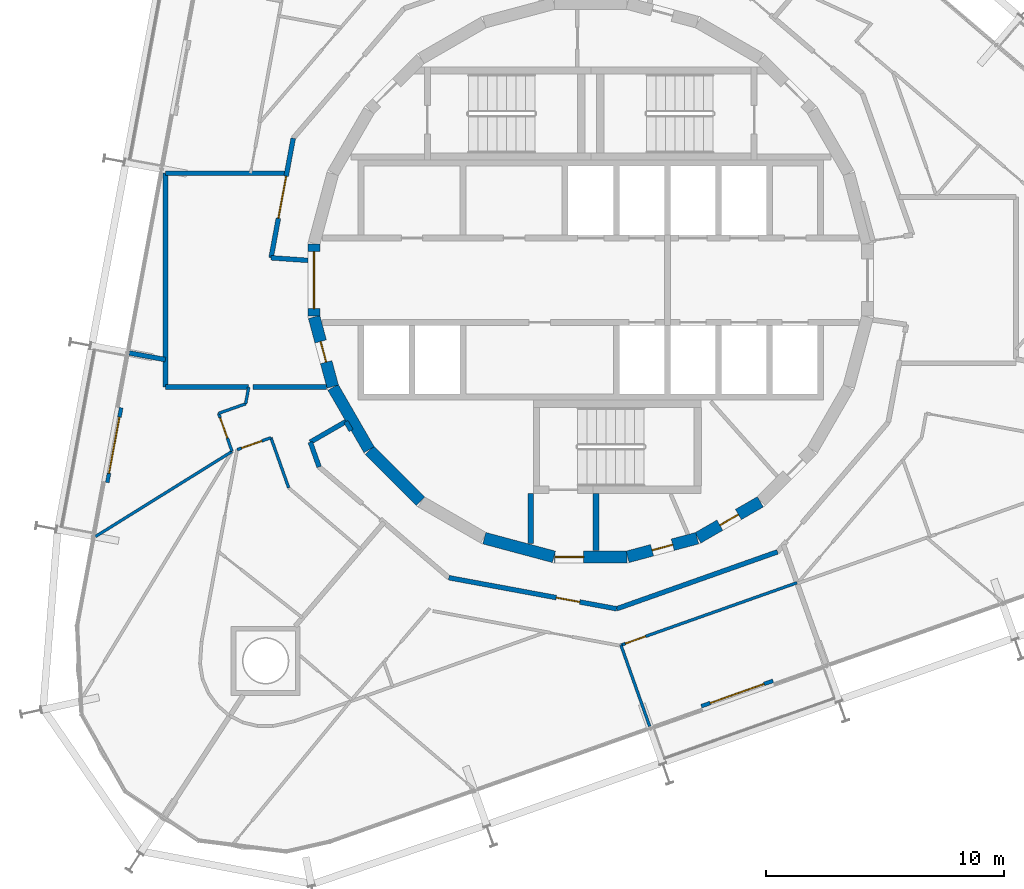
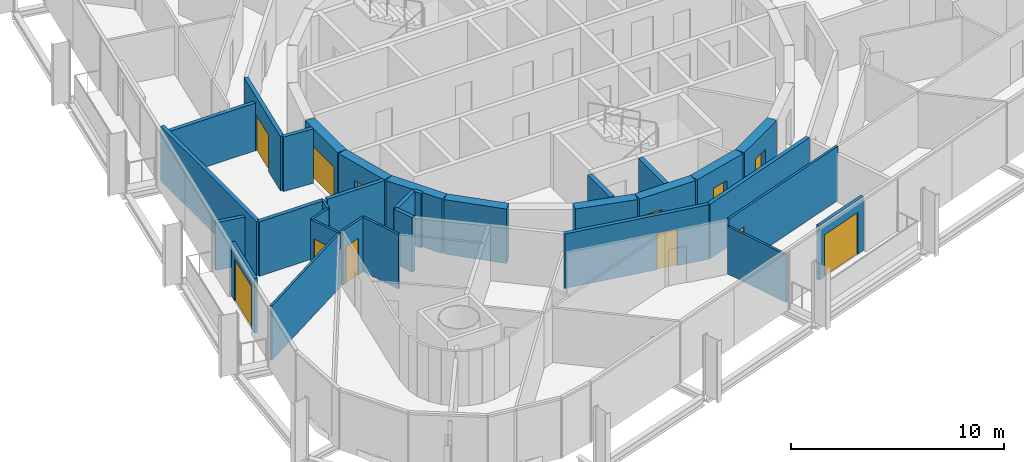
# One storey, part 11 of 17: 32 walls, 12 doors, 12 openings.
"""IFC4 building model written with IfcOpenShell, lengths in metres."""

from ifc_helpers import new_model, si_unit, direction, frame, frame_2d, origin, place, context, subcontext, project, spatial, rectangle, extrude, material, layer, layer_set, type_object, element, fill, save


model = new_model("IFC4")

# Units and contexts
model_context = context("Model", 3, precision=1e-05, world=origin(), true_north=direction((0.0, 1.0)))
body_context = subcontext(model_context, "Body", "Model", "MODEL_VIEW")
ifc_project = project(units=[si_unit("LENGTHUNIT", "METRE"), si_unit("AREAUNIT", "SQUARE_METRE"), si_unit("VOLUMEUNIT", "CUBIC_METRE"), si_unit("PLANEANGLEUNIT", "RADIAN"), si_unit("MASSUNIT", "GRAM", prefix="KILO")], contexts=[model_context])

# Site, building, storey
site_placement = place(None, origin())
site = spatial("IfcSite", under=ifc_project, at=site_placement, CompositionType="ELEMENT")
building_placement = place(site_placement, origin())
building = spatial("IfcBuilding", under=site, at=building_placement, Name="Spindle Arch Residences", CompositionType="ELEMENT")
storey_placement = place(building_placement, frame((0.0, 0.0, 162.199951171875)))
storey = spatial("IfcBuildingStorey", under=building, at=storey_placement, Name="L40", CompositionType="ELEMENT", Elevation=162.199951171875)

# Wall, opening, door
ifc_material_1 = material(Name="Concrete C50/60", Category="concrete")
ifc_layer_1 = layer(ifc_material_1, 0.5)
ifc_layer_set_1 = layer_set([ifc_layer_1], Name="Core outline wall 500")
wall_type_1 = type_object("IfcWallType", Name="Core outline wall 500", PredefinedType="SHEAR", material=ifc_layer_set_1)
wall_1_placement = place(storey_placement, frame((1.5498046875, -11.642822265625, 0.0), z_axis=(0.0, 0.0, 1.0), x_axis=(0.965948410781, 0.258734743916, 0.0)))
wall_1 = element("IfcWall", 1, at=wall_1_placement, inside=storey, type_object=wall_type_1, Name="Core outline wall 1", PredefinedType="SHEAR", context=body_context, shape_type="SweptSolid", body=[
    extrude(rectangle(XDim=3.03271484375, YDim=0.5, at=frame_2d((1.516357421875, 0.0))), origin(), (0.0, 0.0, 1.0), 3.1201171875),
])
opening_1_placement = place(wall_1_placement, frame((1.06640625, 0.0, 0.0)))
opening_1 = element("IfcOpeningElement", 2, at=opening_1_placement, cuts=wall_1, Name="Opening R4B1-WD07", PredefinedType="OPENING", context=body_context, shape_type="SweptSolid", body=[
    extrude(rectangle(XDim=0.89990234375, YDim=2.10009765625, at=frame_2d((0.449951171875, 1.050048828125))), frame((0.0, 0.260009765625, 0.0), z_axis=(0.0, -1.0, 0.0), x_axis=(1.0, 0.0, 0.0)), (0.0, 0.0, 1.0), 0.52001953125),
])
ifc_material_2 = material(Name="Steel, fire-resisting door", Category="steel")
door_type_1 = type_object("IfcDoorType", Name="Service room door 900x2100", OperationType="SINGLE_SWING_LEFT", PredefinedType="DOOR", material=ifc_material_2)
door_1_placement = place(opening_1_placement, origin())
door_1 = element("IfcDoor", 3, at=door_1_placement, inside=storey, type_object=door_type_1, Name="Service room door R4B1-WD07", OperationType="SINGLE_SWING_LEFT", OverallHeight=2.10009765625, OverallWidth=0.89990234375, PredefinedType="DOOR", context=body_context, shape_type="SweptSolid", body=[
    extrude(rectangle(XDim=0.89990234375, YDim=2.10009765625, at=frame_2d((0.449951171875, 1.050048828125))), frame((0.0, 0.02490234375, 0.0), z_axis=(0.0, -1.0, 0.0), x_axis=(1.0, 0.0, 0.0)), (0.0, 0.0, 1.0), 0.050048828125),
])
fill(opening_1, door_1)

wall_2_placement = place(storey_placement, frame((4.510498046875, -10.84521484375, 0.0), z_axis=(0.0, 0.0, 1.0), x_axis=(0.865975092491, 0.500087131594, 0.0)))
wall_2 = element("IfcWall", 4, at=wall_2_placement, inside=storey, type_object=wall_type_1, Name="Core outline wall 2", PredefinedType="SHEAR", context=body_context, shape_type="SweptSolid", body=[
    extrude(rectangle(XDim=3.03271484375, YDim=0.5, at=frame_2d((1.516357421875, 0.0))), origin(), (0.0, 0.0, 1.0), 3.1201171875),
])
opening_2_placement = place(wall_2_placement, frame((1.06640625, 0.0, 0.0)))
opening_2 = element("IfcOpeningElement", 5, at=opening_2_placement, cuts=wall_2, Name="Opening R4B1-WD08", PredefinedType="OPENING", context=body_context, shape_type="SweptSolid", body=[
    extrude(rectangle(XDim=0.89990234375, YDim=2.10009765625, at=frame_2d((0.449951171875, 1.050048828125))), frame((0.0, 0.260009765625, 0.0), z_axis=(0.0, -1.0, 0.0), x_axis=(1.0, 0.0, 0.0)), (0.0, 0.0, 1.0), 0.52001953125),
])
door_2_placement = place(opening_2_placement, origin())
door_2 = element("IfcDoor", 6, at=door_2_placement, inside=storey, type_object=door_type_1, Name="Service room door R4B1-WD08", OperationType="SINGLE_SWING_RIGHT", OverallHeight=2.10009765625, OverallWidth=0.89990234375, PredefinedType="DOOR", context=body_context, shape_type="SweptSolid", body=[
    extrude(rectangle(XDim=0.89990234375, YDim=2.10009765625, at=frame_2d((0.449951171875, 1.050048828125))), frame((0.0, 0.02490234375, 0.0), z_axis=(0.0, -1.0, 0.0), x_axis=(1.0, 0.0, 0.0)), (0.0, 0.0, 1.0), 0.050048828125),
])
fill(opening_2, door_2)

wall_3_placement = place(storey_placement, frame((-11.647216796875, 1.516357421875, 0.0), z_axis=(0.0, 0.0, 1.0), x_axis=(0.0, -1.0, 0.0)))
wall_3 = element("IfcWall", 7, at=wall_3_placement, inside=storey, type_object=wall_type_1, Name="Core outline wall 18", PredefinedType="SHEAR", context=body_context, shape_type="SweptSolid", body=[
    extrude(rectangle(XDim=3.03271484375, YDim=0.5, at=frame_2d((1.516357421875, 0.0))), origin(), (0.0, 0.0, 1.0), 3.1201171875),
])
opening_3_placement = place(wall_3_placement, frame((0.31640625, 0.0, 0.0)))
opening_3 = element("IfcOpeningElement", 8, at=opening_3_placement, cuts=wall_3, Name="Opening R4B1-LE01", PredefinedType="OPENING", context=body_context, shape_type="SweptSolid", body=[
    extrude(rectangle(XDim=2.39990234375, YDim=2.10009765625, at=frame_2d((1.199951171875, 1.050048828125))), frame((0.0, 0.260009765625, 0.0), z_axis=(0.0, -1.0, 0.0), x_axis=(1.0, 0.0, 0.0)), (0.0, 0.0, 1.0), 0.52001953125),
])
ifc_material_3 = material(Name="Steel, fire-resisting door", Category="steel")
door_type_2 = type_object("IfcDoorType", Name="Lift lobby entrance door 2400x2100", OperationType="DOUBLE_DOOR_SINGLE_SWING", PredefinedType="DOOR", material=ifc_material_3)
door_3_placement = place(opening_3_placement, origin())
door_3 = element("IfcDoor", 9, at=door_3_placement, inside=storey, type_object=door_type_2, Name="Lift lobby entrance door R4B1-LE01", OperationType="DOUBLE_DOOR_SINGLE_SWING", OverallHeight=2.10009765625, OverallWidth=2.39990234375, PredefinedType="DOOR", context=body_context, shape_type="SweptSolid", body=[
    extrude(rectangle(XDim=2.39990234375, YDim=2.10009765625, at=frame_2d((1.199951171875, 1.050048828125))), frame((0.0, 0.02490234375, 0.0), z_axis=(0.0, -1.0, 0.0), x_axis=(1.0, 0.0, 0.0)), (0.0, 0.0, 1.0), 0.050048828125),
])
fill(opening_3, door_3)

wall_4_placement = place(storey_placement, frame((-11.642822265625, -1.5498046875, 0.0), z_axis=(0.0, 0.0, 1.0), x_axis=(0.258734743916, -0.965948410781, 0.0)))
wall_4 = element("IfcWall", 10, at=wall_4_placement, inside=storey, type_object=wall_type_1, Name="Core outline wall 19", PredefinedType="SHEAR", context=body_context, shape_type="SweptSolid", body=[
    extrude(rectangle(XDim=3.03271484375, YDim=0.5, at=frame_2d((1.516357421875, 0.0))), origin(), (0.0, 0.0, 1.0), 3.1201171875),
])
opening_4_placement = place(wall_4_placement, frame((1.06640625, 0.0, 0.0)))
opening_4 = element("IfcOpeningElement", 11, at=opening_4_placement, cuts=wall_4, Name="Opening R4B1-WD09", PredefinedType="OPENING", context=body_context, shape_type="SweptSolid", body=[
    extrude(rectangle(XDim=0.89990234375, YDim=2.10009765625, at=frame_2d((0.449951171875, 1.050048828125))), frame((0.0, 0.260009765625, 0.0), z_axis=(0.0, -1.0, 0.0), x_axis=(1.0, 0.0, 0.0)), (0.0, 0.0, 1.0), 0.52001953125),
])
door_4_placement = place(opening_4_placement, origin())
door_4 = element("IfcDoor", 12, at=door_4_placement, inside=storey, type_object=door_type_1, Name="Service room door R4B1-WD09", OperationType="SINGLE_SWING_LEFT", OverallHeight=2.10009765625, OverallWidth=0.89990234375, PredefinedType="DOOR", context=body_context, shape_type="SweptSolid", body=[
    extrude(rectangle(XDim=0.89990234375, YDim=2.10009765625, at=frame_2d((0.449951171875, 1.050048828125))), frame((0.0, 0.02490234375, 0.0), z_axis=(0.0, -1.0, 0.0), x_axis=(1.0, 0.0, 0.0)), (0.0, 0.0, 1.0), 0.050048828125),
])
fill(opening_4, door_4)

# Walls
wall_5_placement = place(storey_placement, frame((-10.84521484375, -4.510498046875, 0.0), z_axis=(0.0, 0.0, 1.0), x_axis=(0.500087131594, -0.865975092491, 0.0)))
element("IfcWall", 13, at=wall_5_placement, inside=storey, type_object=wall_type_1, Name="Core outline wall 20", PredefinedType="SHEAR", context=body_context, shape_type="SweptSolid", body=[
    extrude(rectangle(XDim=3.03271484375, YDim=0.5, at=frame_2d((1.516357421875, 0.0))), origin(), (0.0, 0.0, 1.0), 3.1201171875),
])
wall_6_placement = place(storey_placement, frame((-9.30810546875, -7.163818359375, 0.0), z_axis=(0.0, 0.0, 1.0), x_axis=(0.707106781187, -0.707106781187, 0.0)))
element("IfcWall", 14, at=wall_6_placement, inside=storey, type_object=wall_type_1, Name="Core outline wall 21", PredefinedType="SHEAR", context=body_context, shape_type="SweptSolid", body=[
    extrude(rectangle(XDim=3.032470703125, YDim=0.5, at=frame_2d((1.51611328125, 0.0))), origin(), (0.0, 0.0, 1.0), 3.1201171875),
])
wall_7_placement = place(storey_placement, frame((-4.479248046875, -10.858154296875, 0.0), z_axis=(0.0, 0.0, 1.0), x_axis=(0.965948410781, -0.258734743916, 0.0)))
element("IfcWall", 15, at=wall_7_placement, inside=storey, type_object=wall_type_1, Name="Core outline wall 23", PredefinedType="SHEAR", context=body_context, shape_type="SweptSolid", body=[
    extrude(rectangle(XDim=3.03271484375, YDim=0.5, at=frame_2d((1.516357421875, 0.0))), origin(), (0.0, 0.0, 1.0), 3.1201171875),
])

# Wall, opening, door
wall_8_placement = place(storey_placement, frame((-1.516357421875, -11.647216796875, 0.0), z_axis=(0.0, 0.0, 1.0), x_axis=(1.0, 0.0, 0.0)))
wall_8 = element("IfcWall", 16, at=wall_8_placement, inside=storey, type_object=wall_type_1, Name="Core outline wall 24", PredefinedType="SHEAR", context=body_context, shape_type="SweptSolid", body=[
    extrude(rectangle(XDim=3.03271484375, YDim=0.5, at=frame_2d((1.516357421875, 0.0))), origin(), (0.0, 0.0, 1.0), 3.1201171875),
])
opening_5_placement = place(wall_8_placement, frame((0.016357421875, 0.0, 0.0)))
opening_5 = element("IfcOpeningElement", 17, at=opening_5_placement, cuts=wall_8, Name="Opening R4B1-AD03", PredefinedType="OPENING", context=body_context, shape_type="SweptSolid", body=[
    extrude(rectangle(XDim=1.199951171875, YDim=2.10009765625, at=frame_2d((0.60009765625, 1.050048828125))), frame((0.0, 0.260009765625, 0.0), z_axis=(0.0, -1.0, 0.0), x_axis=(1.0, 0.0, 0.0)), (0.0, 0.0, 1.0), 0.52001953125),
])
ifc_material_4 = material(Name="Steel, fire-resisting door", Category="steel")
door_type_3 = type_object("IfcDoorType", Name="Stair airlock door 1200x2100", OperationType="SINGLE_SWING_LEFT", PredefinedType="DOOR", material=ifc_material_4)
door_5_placement = place(opening_5_placement, origin())
door_5 = element("IfcDoor", 18, at=door_5_placement, inside=storey, type_object=door_type_3, Name="Stair airlock door R4B1-AD03", OperationType="SINGLE_SWING_RIGHT", OverallHeight=2.10009765625, OverallWidth=1.199951171875, PredefinedType="DOOR", context=body_context, shape_type="SweptSolid", body=[
    extrude(rectangle(XDim=1.199951171875, YDim=2.10009765625, at=frame_2d((0.60009765625, 1.050048828125))), frame((0.0, 0.02490234375, 0.0), z_axis=(0.0, -1.0, 0.0), x_axis=(1.0, 0.0, 0.0)), (0.0, 0.0, 1.0), 0.050048828125),
])
fill(opening_5, door_5)

# Walls
ifc_material_5 = material(Name="Calcium silicate block, plastered")
ifc_layer_2 = layer(ifc_material_5, 0.199951171875)
ifc_layer_set_2 = layer_set([ifc_layer_2], Name="Corridor wall 200")
wall_type_2 = type_object("IfcWallType", Name="Corridor wall 200", PredefinedType="STANDARD", material=ifc_layer_set_2)
wall_9_placement = place(storey_placement, frame((-10.303466796875, -5.94873046875, 0.0), z_axis=(0.0, 0.0, 1.0), x_axis=(-0.866021168401, -0.500007335828, 0.0)))
element("IfcWall", 19, at=wall_9_placement, inside=storey, type_object=wall_type_2, Name="Corridor wall R4B1-W014", PredefinedType="STANDARD", context=body_context, shape_type="SweptSolid", body=[
    extrude(rectangle(XDim=1.73095703125, YDim=0.199951171875, at=frame_2d((0.865478515625, 0.0))), origin(), (0.0, 0.0, 1.0), 3.1201171875),
])
wall_10_placement = place(storey_placement, frame((-11.802490234375, -6.814208984375, 0.0), z_axis=(0.0, 0.0, 1.0), x_axis=(0.333904297771, -0.942606980629, 0.0)))
element("IfcWall", 20, at=wall_10_placement, inside=storey, type_object=wall_type_2, Name="Corridor wall R4B1-W015", PredefinedType="STANDARD", context=body_context, shape_type="SweptSolid", body=[
    extrude(rectangle(XDim=1.10693359375, YDim=0.199951171875, at=frame_2d((0.553466796875, 0.0))), origin(), (0.0, 0.0, 1.0), 3.1201171875),
])
wall_11_placement = place(storey_placement, frame((-10.303466796875, -5.94873046875, 0.0), z_axis=(0.0, 0.0, 1.0), x_axis=(0.499980071345, -0.866036909293, 0.0)))
element("IfcWall", 21, at=wall_11_placement, inside=storey, type_object=wall_type_2, Name="Corridor wall R4B1-W017", PredefinedType="STANDARD", context=body_context, shape_type="SweptSolid", body=[
    extrude(rectangle(XDim=0.4375, YDim=0.199951171875, at=frame_2d((0.21875, 0.0))), origin(), (0.0, 0.0, 1.0), 3.1201171875),
])

# Wall, opening, door
wall_12_placement = place(storey_placement, frame((-5.972412109375, -12.521240234375, 0.0), z_axis=(0.0, 0.0, 1.0), x_axis=(0.983256068163, -0.18222926335, 0.0)))
wall_12 = element("IfcWall", 22, at=wall_12_placement, inside=storey, type_object=wall_type_2, Name="Corridor wall R4B1-W018", PredefinedType="STANDARD", context=body_context, shape_type="SweptSolid", body=[
    extrude(rectangle(XDim=7.180908203125, YDim=0.199951171875, at=frame_2d((3.59033203125, 0.0))), origin(), (0.0, 0.0, 1.0), 3.1201171875),
])
opening_6_placement = place(wall_12_placement, frame((4.60009765625, 0.0, 0.0)))
opening_6 = element("IfcOpeningElement", 23, at=opening_6_placement, cuts=wall_12, Name="Opening R4B1-FD05", PredefinedType="OPENING", context=body_context, shape_type="SweptSolid", body=[
    extrude(rectangle(XDim=1.0, YDim=2.10009765625, at=frame_2d((0.5, 1.050048828125))), frame((0.0, 0.10986328125, 0.0), z_axis=(0.0, -1.0, 0.0), x_axis=(1.0, 0.0, 0.0)), (0.0, 0.0, 1.0), 0.219970703125),
])
ifc_material_6 = material(Name="Timber, fire-resisting door set", Category="wood")
door_type_4 = type_object("IfcDoorType", Name="Flat entrance door 1000x2100", OperationType="NOTDEFINED", PredefinedType="DOOR", material=ifc_material_6)
door_6_placement = place(opening_6_placement, origin())
door_6 = element("IfcDoor", 24, at=door_6_placement, inside=storey, type_object=door_type_4, Name="Flat entrance door R4B1-FD05", OperationType="SINGLE_SWING_LEFT", OverallHeight=2.10009765625, OverallWidth=1.0, PredefinedType="DOOR", context=body_context, shape_type="SweptSolid", body=[
    extrude(rectangle(XDim=1.0, YDim=2.10009765625, at=frame_2d((0.5, 1.050048828125))), frame((0.0, 0.02490234375, 0.0), z_axis=(0.0, -1.0, 0.0), x_axis=(1.0, 0.0, 0.0)), (0.0, 0.0, 1.0), 0.050048828125),
])
fill(opening_6, door_6)

# Walls
wall_13_placement = place(storey_placement, frame((1.08837890625, -13.829833984375, 0.0), z_axis=(0.0, 0.0, 1.0), x_axis=(0.942648397945, 0.333787354241, 0.0)))
element("IfcWall", 25, at=wall_13_placement, inside=storey, type_object=wall_type_2, Name="Corridor wall R4B1-W019", PredefinedType="STANDARD", context=body_context, shape_type="SweptSolid", body=[
    extrude(rectangle(XDim=7.18115234375, YDim=0.199951171875, at=frame_2d((3.590576171875, 0.0))), origin(), (0.0, 0.0, 1.0), 3.1201171875),
])
ifc_material_7 = material(Name="Plasterboard on steel studs", Category="steel")
ifc_layer_3 = layer(ifc_material_7, 0.1201171875)
ifc_layer_set_3 = layer_set([ifc_layer_3], Name="Flat partition 120")
wall_type_3 = type_object("IfcWallType", Name="Flat partition 120", PredefinedType="PARTITIONING", material=ifc_layer_set_3)
wall_14_placement = place(storey_placement, frame((-14.39404296875, -4.5, 0.0), z_axis=(0.0, 0.0, 1.0), x_axis=(-0.182101494457, -0.983279739299, 0.0)))
element("IfcWall", 26, at=wall_14_placement, inside=storey, type_object=wall_type_3, Name="Flat partition R4B1-W084", PredefinedType="PARTITIONING", context=body_context, shape_type="SweptSolid", body=[
    extrude(rectangle(XDim=0.714599609375, YDim=0.1201171875, at=frame_2d((0.357421875, 0.0))), origin(), (0.0, 0.0, 1.0), 3.1201171875),
])
wall_15_placement = place(storey_placement, frame((-14.524169921875, -5.20263671875, 0.0), z_axis=(0.0, 0.0, 1.0), x_axis=(-0.942657704592, -0.333761070187, 0.0)))
element("IfcWall", 27, at=wall_15_placement, inside=storey, type_object=wall_type_3, Name="Flat partition R4B1-W085", PredefinedType="PARTITIONING", context=body_context, shape_type="SweptSolid", body=[
    extrude(rectangle(XDim=1.207763671875, YDim=0.1201171875, at=frame_2d((0.60400390625, 0.0))), origin(), (0.0, 0.0, 1.0), 3.1201171875),
])

# Wall, opening, door
wall_16_placement = place(storey_placement, frame((-15.66259765625, -5.605712890625, 0.0), z_axis=(0.0, 0.0, 1.0), x_axis=(0.333751436931, -0.942661115325, 0.0)))
wall_16 = element("IfcWall", 28, at=wall_16_placement, inside=storey, type_object=wall_type_3, Name="Flat partition R4B1-W086", PredefinedType="PARTITIONING", context=body_context, shape_type="SweptSolid", body=[
    extrude(rectangle(XDim=1.699951171875, YDim=0.1201171875, at=frame_2d((0.85009765625, 0.0))), origin(), (0.0, 0.0, 1.0), 3.1201171875),
])
opening_7_placement = place(wall_16_placement, frame((0.199951171875, 0.0, 0.0)))
opening_7 = element("IfcOpeningElement", 29, at=opening_7_placement, cuts=wall_16, Name="Opening R4B1-ID17", PredefinedType="OPENING", context=body_context, shape_type="SweptSolid", body=[
    extrude(rectangle(XDim=0.89990234375, YDim=2.10009765625, at=frame_2d((0.449951171875, 1.050048828125))), frame((0.0, 0.070068359375, 0.0), z_axis=(0.0, -1.0, 0.0), x_axis=(1.0, 0.0, 0.0)), (0.0, 0.0, 1.0), 0.14013671875),
])
ifc_material_8 = material(Name="Timber door set", Category="wood")
door_type_5 = type_object("IfcDoorType", Name="Room door 900x2100", OperationType="NOTDEFINED", PredefinedType="DOOR", material=ifc_material_8)
door_7_placement = place(opening_7_placement, origin())
door_7 = element("IfcDoor", 30, at=door_7_placement, inside=storey, type_object=door_type_5, Name="Room door R4B1-ID17", OperationType="SINGLE_SWING_RIGHT", OverallHeight=2.10009765625, OverallWidth=0.89990234375, PredefinedType="DOOR", context=body_context, shape_type="SweptSolid", body=[
    extrude(rectangle(XDim=0.89990234375, YDim=2.10009765625, at=frame_2d((0.449951171875, 1.050048828125))), frame((0.0, 0.02490234375, 0.0), z_axis=(0.0, -1.0, 0.0), x_axis=(1.0, 0.0, 0.0)), (0.0, 0.0, 1.0), 0.050048828125),
])
fill(opening_7, door_7)

wall_17_placement = place(storey_placement, frame((-14.882080078125, -7.1328125, 0.0), z_axis=(0.0, 0.0, 1.0), x_axis=(0.942631466676, 0.333835165961, 0.0)))
wall_17 = element("IfcWall", 31, at=wall_17_placement, inside=storey, type_object=wall_type_3, Name="Flat partition R4B1-W087", PredefinedType="PARTITIONING", context=body_context, shape_type="SweptSolid", body=[
    extrude(rectangle(XDim=1.509521484375, YDim=0.1201171875, at=frame_2d((0.7548828125, 0.0))), origin(), (0.0, 0.0, 1.0), 3.1201171875),
])
opening_8_placement = place(wall_17_placement, frame((0.199951171875, 0.0, 0.0)))
opening_8 = element("IfcOpeningElement", 32, at=opening_8_placement, cuts=wall_17, Name="Opening R4B1-ID18", PredefinedType="OPENING", context=body_context, shape_type="SweptSolid", body=[
    extrude(rectangle(XDim=0.89990234375, YDim=2.10009765625, at=frame_2d((0.449951171875, 1.050048828125))), frame((0.0, 0.070068359375, 0.0), z_axis=(0.0, -1.0, 0.0), x_axis=(1.0, 0.0, 0.0)), (0.0, 0.0, 1.0), 0.14013671875),
])
door_8_placement = place(opening_8_placement, origin())
door_8 = element("IfcDoor", 33, at=door_8_placement, inside=storey, type_object=door_type_5, Name="Room door R4B1-ID18", OperationType="SINGLE_SWING_LEFT", OverallHeight=2.10009765625, OverallWidth=0.89990234375, PredefinedType="DOOR", context=body_context, shape_type="SweptSolid", body=[
    extrude(rectangle(XDim=0.89990234375, YDim=2.10009765625, at=frame_2d((0.449951171875, 1.050048828125))), frame((0.0, 0.02490234375, 0.0), z_axis=(0.0, -1.0, 0.0), x_axis=(1.0, 0.0, 0.0)), (0.0, 0.0, 1.0), 0.050048828125),
])
fill(opening_8, door_8)

# Walls
wall_18_placement = place(storey_placement, frame((-13.459228515625, -6.62890625, 0.0), z_axis=(0.0, 0.0, 1.0), x_axis=(0.333790565501, -0.942647260847, 0.0)))
element("IfcWall", 34, at=wall_18_placement, inside=storey, type_object=wall_type_3, Name="Flat partition R4B1-W088", PredefinedType="PARTITIONING", context=body_context, shape_type="SweptSolid", body=[
    extrude(rectangle(XDim=2.236572265625, YDim=0.1201171875, at=frame_2d((1.1181640625, 0.0))), origin(), (0.0, 0.0, 1.0), 3.1201171875),
])
wall_19_placement = place(storey_placement, frame((-20.8486328125, -10.79150390625, 0.0), z_axis=(0.0, 0.0, 1.0), x_axis=(0.848835001009, 0.528657867682, 0.0)))
element("IfcWall", 35, at=wall_19_placement, inside=storey, type_object=wall_type_3, Name="Flat partition R4B1-W090", PredefinedType="PARTITIONING", context=body_context, shape_type="SweptSolid", body=[
    extrude(rectangle(XDim=6.778076171875, YDim=0.1201171875, at=frame_2d((3.38916015625, 0.0))), origin(), (0.0, 0.0, 1.0), 3.1201171875),
])

# Wall, opening, door
wall_20_placement = place(storey_placement, frame((1.26904296875, -15.357177734375, 0.0), z_axis=(0.0, 0.0, 1.0), x_axis=(0.942639442898, 0.333812643101, 0.0)))
wall_20 = element("IfcWall", 36, at=wall_20_placement, inside=storey, type_object=wall_type_3, Name="Flat partition R4B1-W102", PredefinedType="PARTITIONING", context=body_context, shape_type="SweptSolid", body=[
    extrude(rectangle(XDim=7.860107421875, YDim=0.1201171875, at=frame_2d((3.93017578125, 0.0))), origin(), (0.0, 0.0, 1.0), 3.1201171875),
])
opening_9_placement = place(wall_20_placement, frame((0.199951171875, 0.0, 0.0)))
opening_9 = element("IfcOpeningElement", 37, at=opening_9_placement, cuts=wall_20, Name="Opening R4B1-ID23", PredefinedType="OPENING", context=body_context, shape_type="SweptSolid", body=[
    extrude(rectangle(XDim=0.89990234375, YDim=2.10009765625, at=frame_2d((0.449951171875, 1.050048828125))), frame((0.0, 0.070068359375, 0.0), z_axis=(0.0, -1.0, 0.0), x_axis=(1.0, 0.0, 0.0)), (0.0, 0.0, 1.0), 0.14013671875),
])
door_9_placement = place(opening_9_placement, origin())
door_9 = element("IfcDoor", 38, at=door_9_placement, inside=storey, type_object=door_type_5, Name="Room door R4B1-ID23", OperationType="SINGLE_SWING_LEFT", OverallHeight=2.10009765625, OverallWidth=0.89990234375, PredefinedType="DOOR", context=body_context, shape_type="SweptSolid", body=[
    extrude(rectangle(XDim=0.89990234375, YDim=2.10009765625, at=frame_2d((0.449951171875, 1.050048828125))), frame((0.0, 0.02490234375, 0.0), z_axis=(0.0, -1.0, 0.0), x_axis=(1.0, 0.0, 0.0)), (0.0, 0.0, 1.0), 0.050048828125),
])
fill(opening_9, door_9)

# Walls
ifc_material_9 = material(Name="Plasterboard on steel studs", Category="steel")
ifc_layer_4 = layer(ifc_material_9, 0.1201171875)
ifc_layer_set_4 = layer_set([ifc_layer_4], Name="Flat partition 120 under beam 2730")
wall_type_4 = type_object("IfcWallType", Name="Flat partition 120 under beam 2730", PredefinedType="PARTITIONING", material=ifc_layer_set_4)
wall_21_placement = place(storey_placement, frame((2.481689453125, -18.78173828125, 0.0), z_axis=(0.0, 0.0, 1.0), x_axis=(-0.33379364943, 0.942646168825, 0.0)))
element("IfcWall", 39, at=wall_21_placement, inside=storey, type_object=wall_type_4, Name="Flat partition R4B1-W111", PredefinedType="PARTITIONING", context=body_context, shape_type="SweptSolid", body=[
    extrude(rectangle(XDim=3.6328125, YDim=0.1201171875, at=frame_2d((1.81640625, 0.0))), origin(), (0.0, 0.0, 1.0), 2.72998046875),
])
ifc_material_10 = material(Name="Calcium silicate block, plastered")
ifc_layer_5 = layer(ifc_material_10, 0.199951171875)
ifc_layer_set_5 = layer_set([ifc_layer_5], Name="Flat party wall 200 under beam 2730")
wall_type_5 = type_object("IfcWallType", Name="Flat party wall 200 under beam 2730", PredefinedType="STANDARD", material=ifc_layer_set_5)
wall_22_placement = place(storey_placement, frame((-19.416259765625, -3.06298828125, 0.0), z_axis=(0.0, 0.0, 1.0), x_axis=(0.983258901558, -0.182213974512, 0.0)))
element("IfcWall", 40, at=wall_22_placement, inside=storey, type_object=wall_type_5, Name="Flat party wall R4B1-W034", PredefinedType="STANDARD", context=body_context, shape_type="SweptSolid", body=[
    extrude(rectangle(XDim=1.542236328125, YDim=0.199951171875, at=frame_2d((0.77099609375, 0.0))), origin(), (0.0, 0.0, 1.0), 2.72998046875),
])

# Wall, opening, door
ifc_material_11 = material(Name="Non-combustible mineral wool insulated aluminium faced external wall (K0)", Category="aluminium")
ifc_layer_6 = layer(ifc_material_11, 0.159912109375)
ifc_layer_set_6 = layer_set([ifc_layer_6], Name="Insulated external wall panel 160")
wall_type_6 = type_object("IfcWallType", Name="Insulated external wall panel 160", PredefinedType="STANDARD", material=ifc_layer_set_6)
wall_23_placement = place(storey_placement, frame((-19.76220703125, -5.36865234375, 0.0), z_axis=(0.0, 0.0, 1.0), x_axis=(-0.18226136951, -0.983250117307, 0.0)))
wall_23 = element("IfcWall", 41, at=wall_23_placement, inside=storey, type_object=wall_type_6, Name="External wall L40 bay 16", PredefinedType="STANDARD", context=body_context, shape_type="SweptSolid", body=[
    extrude(rectangle(XDim=3.2001953125, YDim=0.159912109375, at=frame_2d((1.60009765625, 0.0))), origin(), (0.0, 0.0, 1.0), 3.1201171875),
])
opening_10_placement = place(wall_23_placement, frame((0.39990234375, 0.0, 0.0)))
opening_10 = element("IfcOpeningElement", 42, at=opening_10_placement, cuts=wall_23, Name="Opening BD16", PredefinedType="OPENING", context=body_context, shape_type="SweptSolid", body=[
    extrude(rectangle(XDim=2.39990234375, YDim=2.39990234375, at=frame_2d((1.199951171875, 1.199951171875))), frame((0.0, 0.08984375, 0.0), z_axis=(0.0, -1.0, 0.0), x_axis=(1.0, 0.0, 0.0)), (0.0, 0.0, 1.0), 0.179931640625),
])
ifc_material_12 = material(Name="Bronze aluminium frame, tinted double glazing", Category="aluminium")
door_type_6 = type_object("IfcDoorType", Name="Sliding glazed balcony door 2400x2400", OperationType="DOUBLE_DOOR_SLIDING", PredefinedType="DOOR", material=ifc_material_12)
door_10_placement = place(opening_10_placement, origin())
door_10 = element("IfcDoor", 43, at=door_10_placement, inside=storey, type_object=door_type_6, Name="Balcony door BD16", OperationType="DOUBLE_DOOR_SLIDING", OverallHeight=2.39990234375, OverallWidth=2.39990234375, PredefinedType="DOOR", context=body_context, shape_type="SweptSolid", body=[
    extrude(rectangle(XDim=2.39990234375, YDim=2.39990234375, at=frame_2d((1.199951171875, 1.199951171875))), frame((0.0, 0.02490234375, 0.0), z_axis=(0.0, -1.0, 0.0), x_axis=(1.0, 0.0, 0.0)), (0.0, 0.0, 1.0), 0.050048828125),
])
fill(opening_10, door_10)

wall_24_placement = place(storey_placement, frame((4.651611328125, -17.9287109375, 0.0), z_axis=(0.0, 0.0, 1.0), x_axis=(0.942620722428, 0.333865502335, 0.0)))
wall_24 = element("IfcWall", 44, at=wall_24_placement, inside=storey, type_object=wall_type_6, Name="External wall L40 bay 22", PredefinedType="STANDARD", context=body_context, shape_type="SweptSolid", body=[
    extrude(rectangle(XDim=3.199951171875, YDim=0.159912109375, at=frame_2d((1.60009765625, 0.0))), origin(), (0.0, 0.0, 1.0), 3.1201171875),
])
opening_11_placement = place(wall_24_placement, frame((0.39990234375, 0.0, 0.0)))
opening_11 = element("IfcOpeningElement", 45, at=opening_11_placement, cuts=wall_24, Name="Opening BD22", PredefinedType="OPENING", context=body_context, shape_type="SweptSolid", body=[
    extrude(rectangle(XDim=2.39990234375, YDim=2.39990234375, at=frame_2d((1.199951171875, 1.199951171875))), frame((0.0, 0.08984375, 0.0), z_axis=(0.0, -1.0, 0.0), x_axis=(1.0, 0.0, 0.0)), (0.0, 0.0, 1.0), 0.179931640625),
])
door_11_placement = place(opening_11_placement, origin())
door_11 = element("IfcDoor", 46, at=door_11_placement, inside=storey, type_object=door_type_6, Name="Balcony door BD22", OperationType="DOUBLE_DOOR_SLIDING", OverallHeight=2.39990234375, OverallWidth=2.39990234375, PredefinedType="DOOR", context=body_context, shape_type="SweptSolid", body=[
    extrude(rectangle(XDim=2.39990234375, YDim=2.39990234375, at=frame_2d((1.199951171875, 1.199951171875))), frame((0.0, 0.02490234375, 0.0), z_axis=(0.0, -1.0, 0.0), x_axis=(1.0, 0.0, 0.0)), (0.0, 0.0, 1.0), 0.050048828125),
])
fill(opening_11, door_11)

ifc_material_13 = material(Name="Calcium silicate block, plastered")
ifc_layer_7 = layer(ifc_material_13, 0.199951171875)
ifc_layer_set_7 = layer_set([ifc_layer_7], Name="Lift lobby bay wall 200")
wall_type_7 = type_object("IfcWallType", Name="Lift lobby bay wall 200", PredefinedType="STANDARD", material=ifc_layer_set_7)
wall_25_placement = place(storey_placement, frame((-12.521240234375, 5.972412109375, 0.0), z_axis=(0.0, 0.0, 1.0), x_axis=(-0.182251559718, -0.983251935661, 0.0)))
wall_25 = element("IfcWall", 47, at=wall_25_placement, inside=storey, type_object=wall_type_7, Name="Lift lobby bay wall R4B1-W007", PredefinedType="STANDARD", context=body_context, shape_type="SweptSolid", body=[
    extrude(rectangle(XDim=5.1171875, YDim=0.199951171875, at=frame_2d((2.55859375, 0.0))), origin(), (0.0, 0.0, 1.0), 3.1201171875),
])
opening_12_placement = place(wall_25_placement, frame((1.62744140625, 0.0, 0.0)))
opening_12 = element("IfcOpeningElement", 48, at=opening_12_placement, cuts=wall_25, Name="Opening R4B1-LB01", PredefinedType="OPENING", context=body_context, shape_type="SweptSolid", body=[
    extrude(rectangle(XDim=1.800048828125, YDim=2.10009765625, at=frame_2d((0.89990234375, 1.050048828125))), frame((0.0, 0.10986328125, 0.0), z_axis=(0.0, -1.0, 0.0), x_axis=(1.0, 0.0, 0.0)), (0.0, 0.0, 1.0), 0.219970703125),
])
ifc_material_14 = material(Name="Steel, fire-resisting door", Category="steel")
door_type_7 = type_object("IfcDoorType", Name="Lift lobby bay door 1800x2100", OperationType="NOTDEFINED", PredefinedType="DOOR", material=ifc_material_14)
door_12_placement = place(opening_12_placement, origin())
door_12 = element("IfcDoor", 49, at=door_12_placement, inside=storey, type_object=door_type_7, Name="Lift lobby bay door R4B1-LB01", OperationType="DOUBLE_DOOR_SINGLE_SWING", OverallHeight=2.10009765625, OverallWidth=1.800048828125, PredefinedType="DOOR", context=body_context, shape_type="SweptSolid", body=[
    extrude(rectangle(XDim=1.800048828125, YDim=2.10009765625, at=frame_2d((0.89990234375, 1.050048828125))), frame((0.0, 0.02490234375, 0.0), z_axis=(0.0, -1.0, 0.0), x_axis=(1.0, 0.0, 0.0)), (0.0, 0.0, 1.0), 0.050048828125),
])
fill(opening_12, door_12)

# Walls
wall_26_placement = place(storey_placement, frame((-13.453857421875, 0.94091796875, 0.0), z_axis=(0.0, 0.0, 1.0), x_axis=(0.99755155062, -0.069934997354, 0.0)))
element("IfcWall", 50, at=wall_26_placement, inside=storey, type_object=wall_type_7, Name="Lift lobby bay wall R4B1-W008", PredefinedType="STANDARD", context=body_context, shape_type="SweptSolid", body=[
    extrude(rectangle(XDim=1.560546875, YDim=0.199951171875, at=frame_2d((0.7802734375, 0.0))), origin(), (0.0, 0.0, 1.0), 3.1201171875),
])
wall_27_placement = place(storey_placement, frame((-17.89990234375, 4.5, 0.0), z_axis=(0.0, 0.0, 1.0), x_axis=(0.0, -1.0, 0.0)))
element("IfcWall", 51, at=wall_27_placement, inside=storey, type_object=wall_type_7, Name="Lift lobby bay wall R4B1-W022", PredefinedType="STANDARD", context=body_context, shape_type="SweptSolid", body=[
    extrude(rectangle(XDim=9.0, YDim=0.199951171875, at=frame_2d((4.5, 0.0))), origin(), (0.0, 0.0, 1.0), 3.1201171875),
])
wall_28_placement = place(storey_placement, frame((-14.213134765625, -4.5, 0.0), z_axis=(0.0, 0.0, 1.0), x_axis=(1.0, 0.0, 0.0)))
element("IfcWall", 52, at=wall_28_placement, inside=storey, type_object=wall_type_7, Name="Lift lobby bay wall R4B1-W023", PredefinedType="STANDARD", context=body_context, shape_type="SweptSolid", body=[
    extrude(rectangle(XDim=3.101806640625, YDim=0.199951171875, at=frame_2d((1.55078125, 0.0))), origin(), (0.0, 0.0, 1.0), 3.1201171875),
])
wall_29_placement = place(storey_placement, frame((-17.89990234375, -4.5, 0.0), z_axis=(0.0, 0.0, 1.0), x_axis=(1.0, 0.0, 0.0)))
element("IfcWall", 53, at=wall_29_placement, inside=storey, type_object=wall_type_7, Name="Lift lobby bay wall R4B1-W024", PredefinedType="STANDARD", context=body_context, shape_type="SweptSolid", body=[
    extrude(rectangle(XDim=3.505859375, YDim=0.199951171875, at=frame_2d((1.7529296875, 0.0))), origin(), (0.0, 0.0, 1.0), 3.1201171875),
])
ifc_material_15 = material(Name="Calcium silicate block, plastered")
ifc_layer_8 = layer(ifc_material_15, 0.199951171875)
ifc_layer_set_8 = layer_set([ifc_layer_8], Name="Lift lobby bay wall 200 under beam 2730")
wall_type_8 = type_object("IfcWallType", Name="Lift lobby bay wall 200 under beam 2730", PredefinedType="STANDARD", material=ifc_layer_set_8)
wall_30_placement = place(storey_placement, frame((-12.794189453125, 4.5, 0.0), z_axis=(0.0, 0.0, 1.0), x_axis=(-1.0, 0.0, 0.0)))
element("IfcWall", 54, at=wall_30_placement, inside=storey, type_object=wall_type_8, Name="Lift lobby bay wall R4B1-W021", PredefinedType="STANDARD", context=body_context, shape_type="SweptSolid", body=[
    extrude(rectangle(XDim=5.105712890625, YDim=0.199951171875, at=frame_2d((2.552734375, 0.0))), origin(), (0.0, 0.0, 1.0), 2.72998046875),
])
ifc_material_16 = material(Name="Concrete C40/50", Category="concrete")
ifc_layer_9 = layer(ifc_material_16, 0.25)
ifc_layer_set_9 = layer_set([ifc_layer_9], Name="Stair airlock wall 250")
wall_type_9 = type_object("IfcWallType", Name="Stair airlock wall 250", PredefinedType="SHEAR", material=ifc_layer_set_9)
wall_31_placement = place(storey_placement, frame((-2.52490234375, -8.969970703125, 0.0), z_axis=(0.0, 0.0, 1.0), x_axis=(0.0, -1.0, 0.0)))
element("IfcWall", 55, at=wall_31_placement, inside=storey, type_object=wall_type_9, Name="Stair ST-3 airlock wall W", PredefinedType="SHEAR", context=body_context, shape_type="SweptSolid", body=[
    extrude(rectangle(XDim=2.110107421875, YDim=0.25, at=frame_2d((1.05517578125, 0.0))), origin(), (0.0, 0.0, 1.0), 3.1201171875),
])
wall_32_placement = place(storey_placement, frame((0.22509765625, -8.969970703125, 0.0), z_axis=(0.0, 0.0, 1.0), x_axis=(0.0, -1.0, 0.0)))
element("IfcWall", 56, at=wall_32_placement, inside=storey, type_object=wall_type_9, Name="Stair ST-3 airlock wall E", PredefinedType="SHEAR", context=body_context, shape_type="SweptSolid", body=[
    extrude(rectangle(XDim=2.409912109375, YDim=0.25, at=frame_2d((1.205078125, 0.0))), origin(), (0.0, 0.0, 1.0), 3.1201171875),
])

save(model, "model.ifc")
